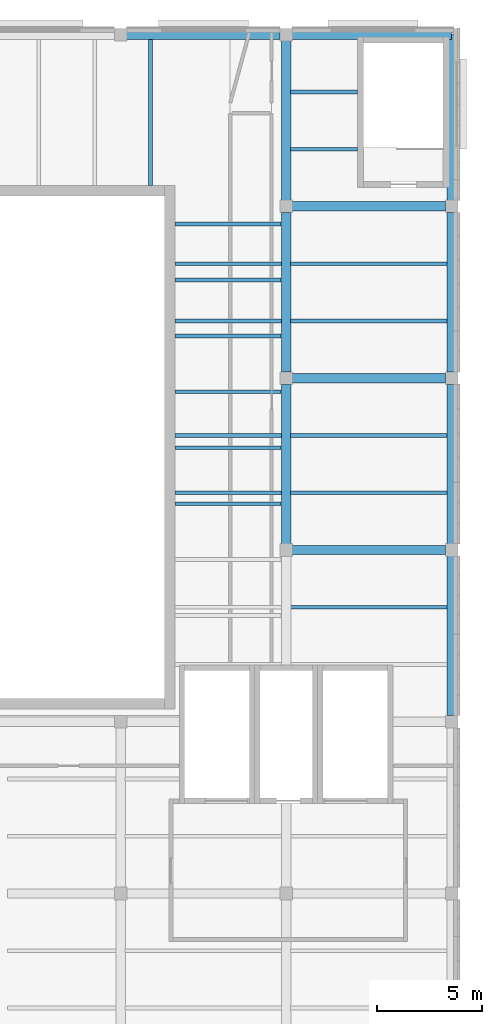
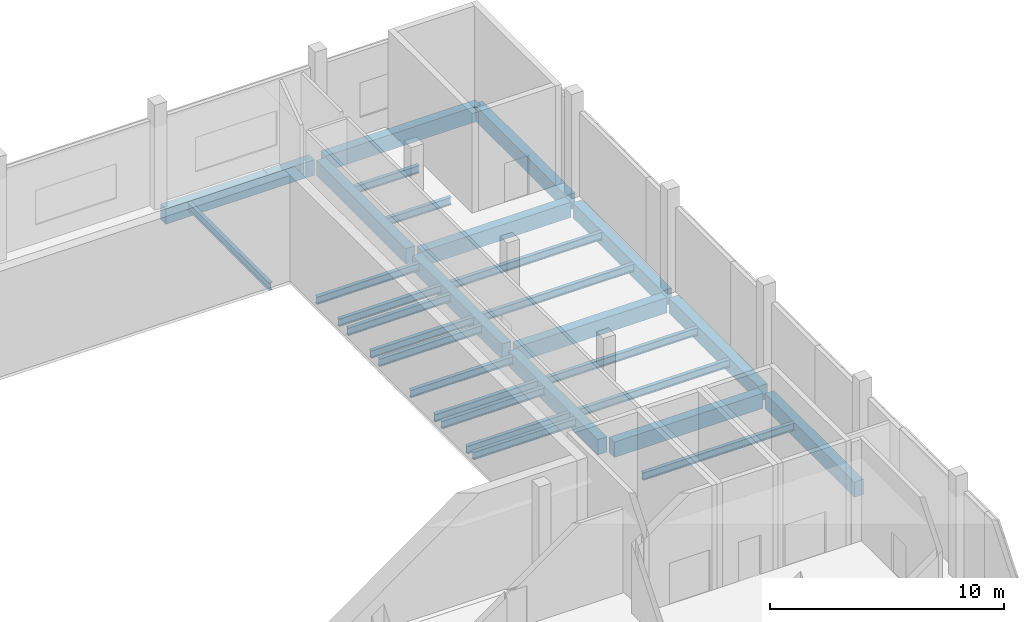
# One storey, part 22 of 87: 30 beams.
"""IFC4 building model written with IfcOpenShell, lengths in metres."""

from ifc_helpers import new_model, si_unit, direction, frame, origin, origin_2d, place, context, subcontext, project, spatial, rectangle, i_section, extrude, material, material_profile, profile_set, type_object, element, save


model = new_model("IFC4")

# Units and contexts
model_context = context("Model", 3, precision=1e-05, world=origin(), true_north=direction((0.0, 1.0)))
body_context = subcontext(model_context, "Body", "Model", "MODEL_VIEW")
ifc_project = project(units=[si_unit("LENGTHUNIT", "METRE"), si_unit("AREAUNIT", "SQUARE_METRE"), si_unit("VOLUMEUNIT", "CUBIC_METRE"), si_unit("PLANEANGLEUNIT", "RADIAN"), si_unit("MASSUNIT", "GRAM", prefix="KILO")], contexts=[model_context])

# Site, building, storey
site_placement = place(None, origin())
site = spatial("IfcSite", under=ifc_project, at=site_placement, CompositionType="ELEMENT")
building_placement = place(site_placement, origin())
building = spatial("IfcBuilding", under=site, at=building_placement, Name="Lunette Opera House", CompositionType="ELEMENT")
storey_placement = place(building_placement, frame((0.0, 0.0, 11.5)))
storey = spatial("IfcBuildingStorey", under=building, at=storey_placement, Name="L02", CompositionType="ELEMENT", Elevation=11.5)

# Beams
ifc_material_1 = material(Name="Concrete C35/45", Category="concrete")
ifc_material_profile_1 = material_profile(ifc_material_1, rectangle(XDim=0.449951171875, YDim=0.800048828125, at=origin_2d()), Name="RC BEAM 450X800")
ifc_profile_set_1 = profile_set([ifc_material_profile_1], Name="Concrete C35/45")
beam_type_1 = type_object("IfcBeamType", Name="RC BEAM 450X800", PredefinedType="BEAM", material=ifc_profile_set_1)
beam_1_placement = place(storey_placement, frame((175.800048828125, 111.389892578125, -0.550048828125), z_axis=(0.0, 1.0, 0.0), x_axis=(-1.0, 0.0, 0.0)))
element("IfcBeam", 1, at=beam_1_placement, inside=storey, type_object=beam_type_1, Name="beam-WW-L02-L02-GY54", PredefinedType="BEAM", context=body_context, shape_type="SweptSolid", body=[
    extrude(rectangle(XDim=0.449951171875, YDim=0.800048828125, at=origin_2d()), origin(), (0.0, 0.0, 1.0), 7.6201171875),
])
for number, where, z_axis, x_axis, name in (
    (2, (175.800048828125, 119.590087890625, -0.550048828125), (0.0, 1.0, 0.0), (-1.0, 0.0, 0.0), "beam-WW-L02-L02-GY55"),
    (3, (175.800048828125, 127.7900390625, -0.550048828125), (0.0, 1.0, 0.0), (-1.0, 0.0, 0.0), "beam-WW-L02-L02-GY56"),
):
    element("IfcBeam", number, at=place(storey_placement, frame(where, z_axis=z_axis, x_axis=x_axis)), inside=storey, type_object=beam_type_1, Name=name, PredefinedType="BEAM", context=body_context, shape_type="SweptSolid", body=[
        extrude(rectangle(XDim=0.449951171875, YDim=0.800048828125, at=origin_2d()), origin(), (0.0, 0.0, 1.0), 7.619873046875),
    ])
for number, where, z_axis, x_axis, name in (
    (4, (183.699951171875, 103.18994140625, -0.550048828125), (0.0, 1.0, 0.0), (-1.0, 0.0, 0.0), "beam-WW-L02-L02-GY63"),
    (5, (183.699951171875, 111.389892578125, -0.550048828125), (0.0, 1.0, 0.0), (-1.0, 0.0, 0.0), "beam-WW-L02-L02-GY64"),
):
    element("IfcBeam", number, at=place(storey_placement, frame(where, z_axis=z_axis, x_axis=x_axis)), inside=storey, type_object=beam_type_1, Name=name, PredefinedType="BEAM", context=body_context, shape_type="SweptSolid", body=[
        extrude(rectangle(XDim=0.449951171875, YDim=0.800048828125, at=origin_2d()), origin(), (0.0, 0.0, 1.0), 7.6201171875),
    ])
beam_2_placement = place(storey_placement, frame((183.699951171875, 119.590087890625, -0.550048828125), z_axis=(0.0, 1.0, 0.0), x_axis=(-1.0, 0.0, 0.0)))
element("IfcBeam", 6, at=beam_2_placement, inside=storey, type_object=beam_type_1, Name="beam-WW-L02-L02-GY65", PredefinedType="BEAM", context=body_context, shape_type="SweptSolid", body=[
    extrude(rectangle(XDim=0.449951171875, YDim=0.800048828125, at=origin_2d()), origin(), (0.0, 0.0, 1.0), 7.619873046875),
])
beam_3_placement = place(storey_placement, frame((183.699951171875, 127.7900390625, -0.550048828125), z_axis=(0.0, 1.0, 0.0), x_axis=(-1.0, 0.0, 0.0)))
element("IfcBeam", 7, at=beam_3_placement, inside=storey, type_object=beam_type_1, Name="beam-WW-L02-L02-GY66", PredefinedType="BEAM", context=body_context, shape_type="SweptSolid", body=[
    extrude(rectangle(XDim=0.449951171875, YDim=0.800048828125, at=origin_2d()), origin(), (0.0, 0.0, 1.0), 7.909912109375),
])
for number, where, z_axis, x_axis, name in (
    (8, (176.090087890625, 111.10009765625, -0.550048828125), (1.0, 0.0, 0.0), (0.0, 1.0, 0.0), "beam-WW-L02-L02-GX54"),
    (9, (176.090087890625, 119.300048828125, -0.550048828125), (1.0, 0.0, 0.0), (0.0, 1.0, 0.0), "beam-WW-L02-L02-GX55"),
    (10, (176.090087890625, 127.5, -0.550048828125), (1.0, 0.0, 0.0), (0.0, 1.0, 0.0), "beam-WW-L02-L02-GX56"),
):
    element("IfcBeam", number, at=place(storey_placement, frame(where, z_axis=z_axis, x_axis=x_axis)), inside=storey, type_object=beam_type_1, Name=name, PredefinedType="BEAM", context=body_context, shape_type="SweptSolid", body=[
        extrude(rectangle(XDim=0.449951171875, YDim=0.800048828125, at=origin_2d()), origin(), (0.0, 0.0, 1.0), 7.31982421875),
    ])
beam_4_placement = place(storey_placement, frame((168.18994140625, 135.699951171875, -0.550048828125), z_axis=(1.0, 0.0, 0.0), x_axis=(0.0, 1.0, 0.0)))
element("IfcBeam", 11, at=beam_4_placement, inside=storey, type_object=beam_type_1, Name="beam-WW-L02-L02-GX47", PredefinedType="BEAM", context=body_context, shape_type="SweptSolid", body=[
    extrude(rectangle(XDim=0.449951171875, YDim=0.800048828125, at=origin_2d()), origin(), (0.0, 0.0, 1.0), 7.320068359375),
])
beam_5_placement = place(storey_placement, frame((176.090087890625, 135.699951171875, -0.550048828125), z_axis=(1.0, 0.0, 0.0), x_axis=(0.0, 1.0, 0.0)))
element("IfcBeam", 12, at=beam_5_placement, inside=storey, type_object=beam_type_1, Name="beam-WW-L02-L02-GX57", PredefinedType="BEAM", context=body_context, shape_type="SweptSolid", body=[
    extrude(rectangle(XDim=0.449951171875, YDim=0.800048828125, at=origin_2d()), origin(), (0.0, 0.0, 1.0), 7.60986328125),
])
ifc_material_2 = material(Name="Steel S355", Category="steel")
ifc_material_profile_2 = material_profile(ifc_material_2, i_section(OverallWidth=0.179931640625, OverallDepth=0.39990234375, WebThickness=0.008544921875, FlangeThickness=0.013427734375, FilletRadius=0.02099609375, at=origin_2d()), Name="IPE 400")
ifc_profile_set_2 = profile_set([ifc_material_profile_2], Name="Steel S355")
beam_type_2 = type_object("IfcBeamType", Name="STEEL BEAM IPE 400", PredefinedType="BEAM", material=ifc_profile_set_2)
for number, where, z_axis, x_axis, name in (
    (13, (170.5, 113.8330078125, -0.35009765625), (1.0, 0.0, 0.0), (0.0, 1.0, 0.0), "beam-WW-L02-L02-SX441-01"),
    (14, (170.5, 116.56689453125, -0.35009765625), (1.0, 0.0, 0.0), (0.0, 1.0, 0.0), "beam-WW-L02-L02-SX442-01"),
    (15, (170.5, 122.032958984375, -0.35009765625), (1.0, 0.0, 0.0), (0.0, 1.0, 0.0), "beam-WW-L02-L02-SX451-01"),
    (16, (170.5, 124.76708984375, -0.35009765625), (1.0, 0.0, 0.0), (0.0, 1.0, 0.0), "beam-WW-L02-L02-SX452-01"),
):
    element("IfcBeam", number, at=place(storey_placement, frame(where, z_axis=z_axis, x_axis=x_axis)), inside=storey, type_object=beam_type_2, Name=name, PredefinedType="BEAM", context=body_context, shape_type="SweptSolid", body=[
        extrude(i_section(OverallWidth=0.179931640625, OverallDepth=0.39990234375, WebThickness=0.008544921875, FlangeThickness=0.013427734375, FilletRadius=0.02099609375, at=origin_2d()), origin(), (0.0, 0.0, 1.0), 5.0849609375),
    ])
for number, where, z_axis, x_axis, name in (
    (17, (176.014892578125, 108.366943359375, -0.35009765625), (1.0, 0.0, 0.0), (0.0, 1.0, 0.0), "beam-WW-L02-L02-SX532"),
    (18, (176.014892578125, 113.8330078125, -0.35009765625), (1.0, 0.0, 0.0), (0.0, 1.0, 0.0), "beam-WW-L02-L02-SX541"),
    (19, (176.014892578125, 116.56689453125, -0.35009765625), (1.0, 0.0, 0.0), (0.0, 1.0, 0.0), "beam-WW-L02-L02-SX542"),
    (20, (176.014892578125, 122.032958984375, -0.35009765625), (1.0, 0.0, 0.0), (0.0, 1.0, 0.0), "beam-WW-L02-L02-SX551"),
    (21, (176.014892578125, 124.76708984375, -0.35009765625), (1.0, 0.0, 0.0), (0.0, 1.0, 0.0), "beam-WW-L02-L02-SX552"),
):
    element("IfcBeam", number, at=place(storey_placement, frame(where, z_axis=z_axis, x_axis=x_axis)), inside=storey, type_object=beam_type_2, Name=name, PredefinedType="BEAM", context=body_context, shape_type="SweptSolid", body=[
        extrude(i_section(OverallWidth=0.179931640625, OverallDepth=0.39990234375, WebThickness=0.008544921875, FlangeThickness=0.013427734375, FilletRadius=0.02099609375, at=origin_2d()), origin(), (0.0, 0.0, 1.0), 7.47021484375),
    ])
for number, where, z_axis, x_axis, name in (
    (22, (176.014892578125, 130.23291015625, -0.35009765625), (1.0, 0.0, 0.0), (0.0, 1.0, 0.0), "beam-WW-L02-L02-SX561"),
    (23, (176.014892578125, 132.967041015625, -0.35009765625), (1.0, 0.0, 0.0), (0.0, 1.0, 0.0), "beam-WW-L02-L02-SX562"),
):
    element("IfcBeam", number, at=place(storey_placement, frame(where, z_axis=z_axis, x_axis=x_axis)), inside=storey, type_object=beam_type_2, Name=name, PredefinedType="BEAM", context=body_context, shape_type="SweptSolid", body=[
        extrude(i_section(OverallWidth=0.179931640625, OverallDepth=0.39990234375, WebThickness=0.008544921875, FlangeThickness=0.013427734375, FilletRadius=0.02099609375, at=origin_2d()), origin(), (0.0, 0.0, 1.0), 3.18505859375),
    ])
beam_6_placement = place(storey_placement, frame((169.330078125, 128.5, -0.35009765625), z_axis=(0.0, 1.0, 0.0), x_axis=(-1.0, 0.0, 0.0)))
element("IfcBeam", 24, at=beam_6_placement, inside=storey, type_object=beam_type_2, Name="beam-WW-L02-L02-RJN1441049", PredefinedType="BEAM", context=body_context, shape_type="SweptSolid", body=[
    extrude(i_section(OverallWidth=0.179931640625, OverallDepth=0.39990234375, WebThickness=0.008544921875, FlangeThickness=0.013427734375, FilletRadius=0.02099609375, at=origin_2d()), origin(), (0.0, 0.0, 1.0), 6.965087890625),
])
for number, where, z_axis, x_axis, name in (
    (25, (170.5, 113.31005859375, -0.35009765625), (1.0, 0.0, 0.0), (0.0, 1.0, 0.0), "beam-WW-L02-L02-RJE1441043"),
    (26, (170.5, 115.97998046875, -0.35009765625), (1.0, 0.0, 0.0), (0.0, 1.0, 0.0), "beam-WW-L02-L02-RJE1441044"),
    (27, (170.5, 118.64990234375, -0.35009765625), (1.0, 0.0, 0.0), (0.0, 1.0, 0.0), "beam-WW-L02-L02-RJE1441045"),
    (28, (170.5, 121.320068359375, -0.35009765625), (1.0, 0.0, 0.0), (0.0, 1.0, 0.0), "beam-WW-L02-L02-RJE1441046"),
    (29, (170.5, 123.989990234375, -0.35009765625), (1.0, 0.0, 0.0), (0.0, 1.0, 0.0), "beam-WW-L02-L02-RJE1441047"),
    (30, (170.5, 126.659912109375, -0.35009765625), (1.0, 0.0, 0.0), (0.0, 1.0, 0.0), "beam-WW-L02-L02-RJE1441048"),
):
    element("IfcBeam", number, at=place(storey_placement, frame(where, z_axis=z_axis, x_axis=x_axis)), inside=storey, type_object=beam_type_2, Name=name, PredefinedType="BEAM", context=body_context, shape_type="SweptSolid", body=[
        extrude(i_section(OverallWidth=0.179931640625, OverallDepth=0.39990234375, WebThickness=0.008544921875, FlangeThickness=0.013427734375, FilletRadius=0.02099609375, at=origin_2d()), origin(), (0.0, 0.0, 1.0), 5.06494140625),
    ])

save(model, "model.ifc")
